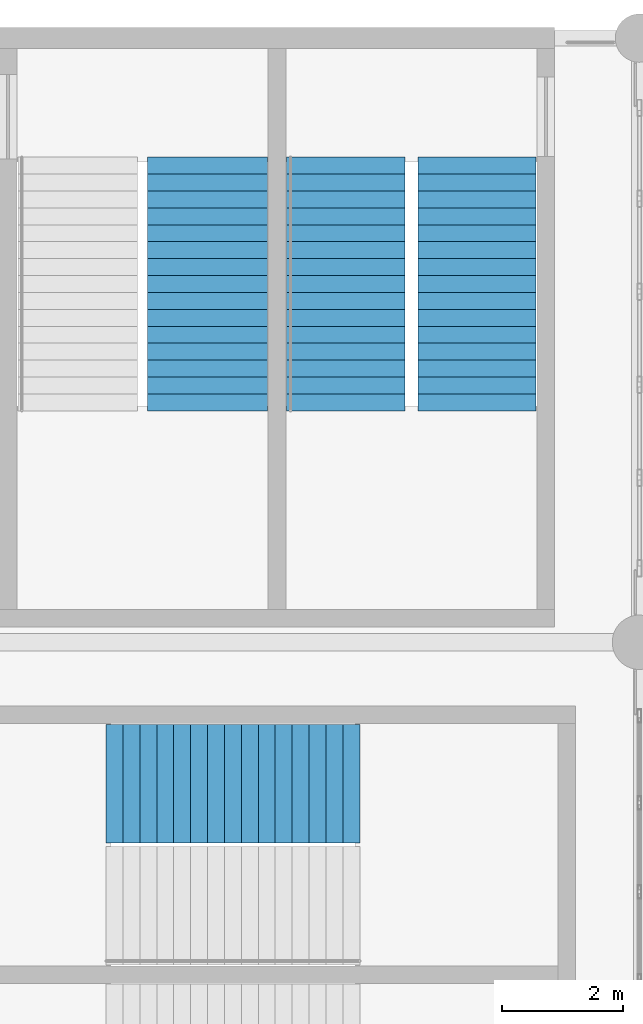
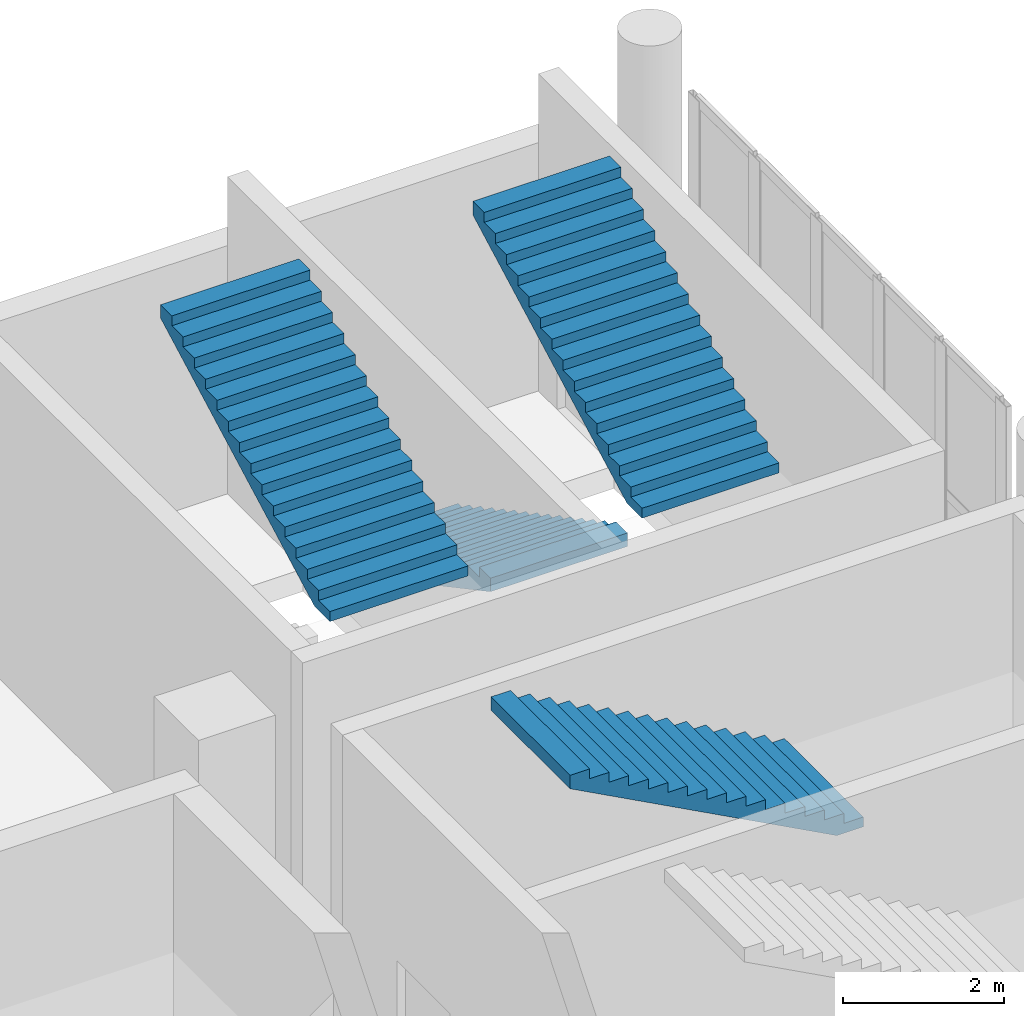
# One storey, part 119 of 136: 4 stair flights, 3 elements without a shape of their own.
"""IFC4 building model written with IfcOpenShell, lengths in metres."""

from ifc_helpers import new_model, si_unit, direction, frame, origin, place, context, subcontext, project, spatial, polyline, outline, extrude, material, layer, layer_set, type_object, element, aggregate, save


model = new_model("IFC4")

# Units and contexts
model_context = context("Model", 3, precision=1e-05, world=origin(), true_north=direction((0.0, 1.0)))
body_context = subcontext(model_context, "Body", "Model", "MODEL_VIEW")
ifc_project = project(units=[si_unit("LENGTHUNIT", "METRE"), si_unit("AREAUNIT", "SQUARE_METRE"), si_unit("VOLUMEUNIT", "CUBIC_METRE"), si_unit("PLANEANGLEUNIT", "RADIAN"), si_unit("MASSUNIT", "GRAM", prefix="KILO")], contexts=[model_context])

# Site, building, storey
site_placement = place(None, origin())
site = spatial("IfcSite", under=ifc_project, at=site_placement, CompositionType="ELEMENT")
building_placement = place(site_placement, origin())
building = spatial("IfcBuilding", under=site, at=building_placement, Name="Brinegate Civic Arena", CompositionType="ELEMENT")
storey_placement = place(building_placement, frame((0.0, 0.0, 5.39990234375)))
storey = spatial("IfcBuildingStorey", under=building, at=storey_placement, Name="L01", CompositionType="ELEMENT", Elevation=5.39990234375)

# Stair, stair flights
ifc_material = material(Name="Concrete C40/50", Category="concrete")
stair_type_1 = type_object("IfcStairType", Name="STAIR-EXIT-3700", PredefinedType="HALF_TURN_STAIR", material=ifc_material)
stair_1_placement = place(storey_placement, origin())
stair_1 = element("IfcStair", 1, at=stair_1_placement, inside=storey, type_object=stair_type_1, Name="Protected Exit Stair ST-05B (L01)", PredefinedType="HALF_TURN_STAIR")
ifc_layer_1 = layer(ifc_material, 0.179931640625, Name="Concrete C40/50")
ifc_layer_set_1 = layer_set([ifc_layer_1], Name="Concrete C40/50")
stair_flight_type_1 = type_object("IfcStairFlightType", Name="FLIGHT-EXIT-3700", PredefinedType="STRAIGHT", material=ifc_layer_set_1)
stair_flight_1_placement = place(storey_placement, frame((163.139892578125, 112.030029296875, 0.0), z_axis=(0.0, 0.0, 1.0), x_axis=(0.0, -1.0, 0.0)))
stair_flight_1 = element("IfcStairFlight", 2, at=stair_flight_1_placement, type_object=stair_flight_type_1, Name="ST-05B flight 1", NumberOfRisers=16, NumberOfTreads=15, PredefinedType="STRAIGHT", RiserHeight=0.15, TreadLength=0.28, context=body_context, shape_type="SweptSolid", body=[
    extrude(outline(polyline([(0.0, 0.0), (0.0, 0.14990234375), (0.280029296875, 0.14990234375), (0.280029296875, 0.300048828125), (0.56005859375, 0.300048828125), (0.56005859375, 0.449951171875), (0.840087890625, 0.449951171875), (0.840087890625, 0.60009765625), (1.1201171875, 0.60009765625), (1.1201171875, 0.75), (1.39990234375, 0.75), (1.39990234375, 0.89990234375), (1.679931640625, 0.89990234375), (1.679931640625, 1.050048828125), (1.9599609375, 1.050048828125), (1.9599609375, 1.199951171875), (2.239990234375, 1.199951171875), (2.239990234375, 1.35009765625), (2.52001953125, 1.35009765625), (2.52001953125, 1.5), (2.800048828125, 1.5), (2.800048828125, 1.64990234375), (3.080078125, 1.64990234375), (3.080078125, 1.800048828125), (3.360107421875, 1.800048828125), (3.360107421875, 1.949951171875), (3.639892578125, 1.949951171875), (3.639892578125, 2.10009765625), (3.919921875, 2.10009765625), (3.919921875, 2.25), (4.199951171875, 2.25), (4.199951171875, 2.39990234375), (4.199951171875, 2.0458984375), (0.381103515625, 0.0), (0.0, 0.0)])), frame((0.0, 0.97998046875, 0.0), z_axis=(0.0, -1.0, 0.0), x_axis=(1.0, 0.0, 0.0)), (0.0, 0.0, 1.0), 1.9599609375),
])
stair_flight_2_placement = place(storey_placement, frame((165.31005859375, 107.830078125, 2.400146484375), z_axis=(0.0, 0.0, 1.0), x_axis=(0.0, 1.0, 0.0)))
stair_flight_2 = element("IfcStairFlight", 3, at=stair_flight_2_placement, type_object=stair_flight_type_1, Name="ST-05B flight 2", NumberOfRisers=16, NumberOfTreads=15, PredefinedType="STRAIGHT", RiserHeight=0.15, TreadLength=0.28, context=body_context, shape_type="SweptSolid", body=[
    extrude(outline(polyline([(0.0, 0.0), (0.0, 0.14990234375), (0.280029296875, 0.14990234375), (0.280029296875, 0.300048828125), (0.56005859375, 0.300048828125), (0.56005859375, 0.449951171875), (0.840087890625, 0.449951171875), (0.840087890625, 0.60009765625), (1.1201171875, 0.60009765625), (1.1201171875, 0.75), (1.39990234375, 0.75), (1.39990234375, 0.89990234375), (1.679931640625, 0.89990234375), (1.679931640625, 1.050048828125), (1.9599609375, 1.050048828125), (1.9599609375, 1.199951171875), (2.239990234375, 1.199951171875), (2.239990234375, 1.35009765625), (2.52001953125, 1.35009765625), (2.52001953125, 1.5), (2.800048828125, 1.5), (2.800048828125, 1.64990234375), (3.080078125, 1.64990234375), (3.080078125, 1.800048828125), (3.360107421875, 1.800048828125), (3.360107421875, 1.949951171875), (3.639892578125, 1.949951171875), (3.639892578125, 2.10009765625), (3.919921875, 2.10009765625), (3.919921875, 2.25), (4.199951171875, 2.25), (4.199951171875, 2.39990234375), (4.199951171875, 2.0458984375), (0.381103515625, 0.0), (0.0, 0.0)])), frame((0.0, 0.97998046875, 0.0), z_axis=(0.0, -1.0, 0.0), x_axis=(1.0, 0.0, 0.0)), (0.0, 0.0, 1.0), 1.9599609375),
])
aggregate(stair_1, [stair_flight_1, stair_flight_2])

# Stair, stair flight
stair_2_placement = place(storey_placement, origin())
stair_2 = element("IfcStair", 4, at=stair_2_placement, inside=storey, type_object=stair_type_1, Name="Protected Exit Stair ST-20B (L01)", PredefinedType="HALF_TURN_STAIR")
stair_flight_3_placement = place(storey_placement, frame((163.3701171875, 101.659912109375, 2.400146484375), z_axis=(0.0, 0.0, 1.0), x_axis=(-1.0, 0.0, 0.0)))
stair_flight_3 = element("IfcStairFlight", 5, at=stair_flight_3_placement, type_object=stair_flight_type_1, Name="ST-20B flight 2", NumberOfRisers=16, NumberOfTreads=15, PredefinedType="STRAIGHT", RiserHeight=0.15, TreadLength=0.28, context=body_context, shape_type="SweptSolid", body=[
    extrude(outline(polyline([(0.0, 0.0), (0.0, 0.14990234375), (0.280029296875, 0.14990234375), (0.280029296875, 0.300048828125), (0.56005859375, 0.300048828125), (0.56005859375, 0.449951171875), (0.840087890625, 0.449951171875), (0.840087890625, 0.60009765625), (1.1201171875, 0.60009765625), (1.1201171875, 0.75), (1.39990234375, 0.75), (1.39990234375, 0.89990234375), (1.679931640625, 0.89990234375), (1.679931640625, 1.050048828125), (1.9599609375, 1.050048828125), (1.9599609375, 1.199951171875), (2.239990234375, 1.199951171875), (2.239990234375, 1.35009765625), (2.52001953125, 1.35009765625), (2.52001953125, 1.5), (2.800048828125, 1.5), (2.800048828125, 1.64990234375), (3.080078125, 1.64990234375), (3.080078125, 1.800048828125), (3.360107421875, 1.800048828125), (3.360107421875, 1.949951171875), (3.639892578125, 1.949951171875), (3.639892578125, 2.10009765625), (3.919921875, 2.10009765625), (3.919921875, 2.25), (4.199951171875, 2.25), (4.199951171875, 2.39990234375), (4.199951171875, 2.0458984375), (0.381103515625, 0.0), (0.0, 0.0)])), frame((0.0, 0.97998046875, 0.0), z_axis=(0.0, -1.0, 0.0), x_axis=(1.0, 0.0, 0.0)), (0.0, 0.0, 1.0), 1.9599609375),
])
aggregate(stair_2, [stair_flight_3])

stair_type_2 = type_object("IfcStairType", Name="STAIR-EXIT-3850", PredefinedType="HALF_TURN_STAIR", material=ifc_material)
stair_3_placement = place(storey_placement, origin())
stair_3 = element("IfcStair", 6, at=stair_3_placement, inside=storey, type_object=stair_type_2, Name="Protected Exit Stair ST-05A (L01)", PredefinedType="HALF_TURN_STAIR")
ifc_layer_2 = layer(ifc_material, 0.179931640625, Name="Concrete C40/50")
ifc_layer_set_2 = layer_set([ifc_layer_2], Name="Concrete C40/50")
stair_flight_type_2 = type_object("IfcStairFlightType", Name="FLIGHT-EXIT-3850", PredefinedType="STRAIGHT", material=ifc_layer_set_2)
stair_flight_4_placement = place(storey_placement, frame((160.85009765625, 107.830078125, 2.400146484375), z_axis=(0.0, 0.0, 1.0), x_axis=(0.0, 1.0, 0.0)))
stair_flight_4 = element("IfcStairFlight", 7, at=stair_flight_4_placement, type_object=stair_flight_type_2, Name="ST-05A flight 2", NumberOfRisers=16, NumberOfTreads=15, PredefinedType="STRAIGHT", RiserHeight=0.15, TreadLength=0.28, context=body_context, shape_type="SweptSolid", body=[
    extrude(outline(polyline([(0.0, 0.0), (0.0, 0.14990234375), (0.280029296875, 0.14990234375), (0.280029296875, 0.300048828125), (0.56005859375, 0.300048828125), (0.56005859375, 0.449951171875), (0.840087890625, 0.449951171875), (0.840087890625, 0.60009765625), (1.1201171875, 0.60009765625), (1.1201171875, 0.75), (1.39990234375, 0.75), (1.39990234375, 0.89990234375), (1.679931640625, 0.89990234375), (1.679931640625, 1.050048828125), (1.9599609375, 1.050048828125), (1.9599609375, 1.199951171875), (2.239990234375, 1.199951171875), (2.239990234375, 1.35009765625), (2.52001953125, 1.35009765625), (2.52001953125, 1.5), (2.800048828125, 1.5), (2.800048828125, 1.64990234375), (3.080078125, 1.64990234375), (3.080078125, 1.800048828125), (3.360107421875, 1.800048828125), (3.360107421875, 1.949951171875), (3.639892578125, 1.949951171875), (3.639892578125, 2.10009765625), (3.919921875, 2.10009765625), (3.919921875, 2.25), (4.199951171875, 2.25), (4.199951171875, 2.39990234375), (4.199951171875, 2.0458984375), (0.381103515625, 0.0), (0.0, 0.0)])), frame((0.0, 0.989990234375, 0.0), z_axis=(0.0, -1.0, 0.0), x_axis=(1.0, 0.0, 0.0)), (0.0, 0.0, 1.0), 1.97998046875),
])
aggregate(stair_3, [stair_flight_4])

save(model, "model.ifc")
